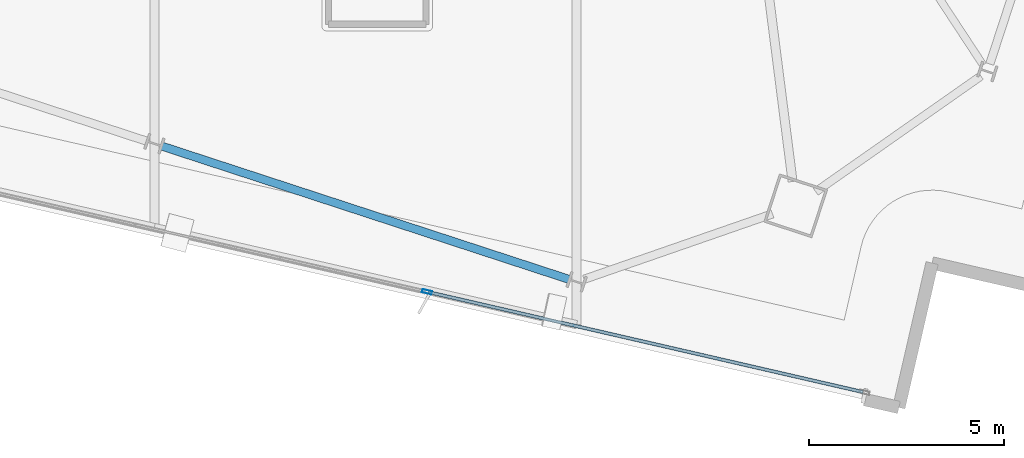
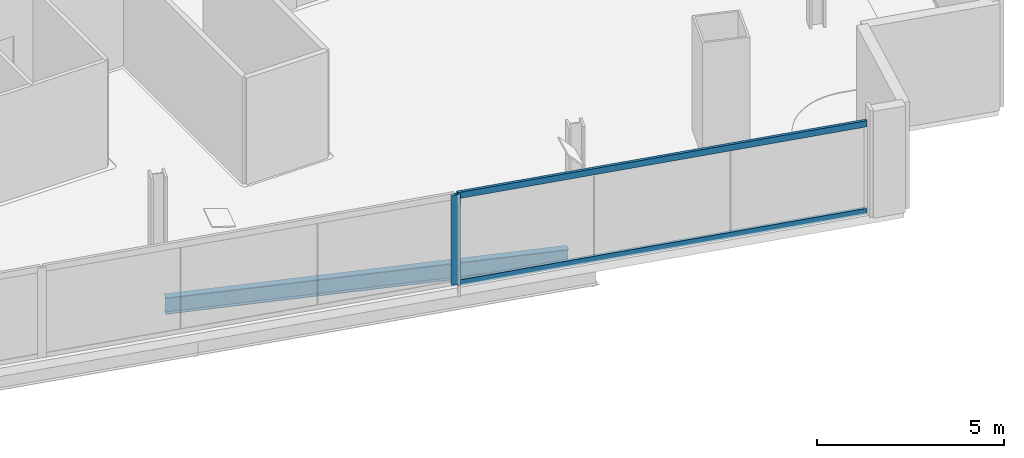
# One storey, part 4 of 28: 3 members, 1 beam, 1 element without a shape of its own.
"""IFC4 building model written with IfcOpenShell, lengths in metres."""

from ifc_helpers import new_model, si_unit, direction, frame, origin, origin_2d, place, context, subcontext, project, spatial, hollow_rectangle, i_section, extrude, material, material_profile, profile_set, type_object, element, aggregate, save


model = new_model("IFC4")

# Units and contexts
model_context = context("Model", 3, precision=1e-05, world=origin(), true_north=direction((0.0, 1.0)))
body_context = subcontext(model_context, "Body", "Model", "MODEL_VIEW")
ifc_project = project(units=[si_unit("LENGTHUNIT", "METRE"), si_unit("AREAUNIT", "SQUARE_METRE"), si_unit("VOLUMEUNIT", "CUBIC_METRE"), si_unit("PLANEANGLEUNIT", "RADIAN"), si_unit("MASSUNIT", "GRAM", prefix="KILO")], contexts=[model_context])

# Site, building, storey
site_placement = place(None, origin())
site = spatial("IfcSite", under=ifc_project, at=site_placement, CompositionType="ELEMENT")
building_placement = place(site_placement, origin())
building = spatial("IfcBuilding", under=site, at=building_placement, Name="Haldenkirk Collegiate Tower", CompositionType="ELEMENT")
storey_placement = place(building_placement, frame((0.0, 0.0, 286.199951171875)))
storey = spatial("IfcBuildingStorey", under=building, at=storey_placement, Name="L72", CompositionType="ELEMENT", Elevation=286.199951171875)

# Beam
ifc_material_1 = material(Name="Steel ASTM A992 Grade 50", Category="steel")
ifc_material_profile_1 = material_profile(ifc_material_1, i_section(OverallWidth=0.2099609375, OverallDepth=0.537109375, WebThickness=0.010986328125, FlangeThickness=0.017333984375, at=origin_2d()), Name="W21X68")
ifc_profile_set_1 = profile_set([ifc_material_profile_1], Name="Steel ASTM A992 Grade 50")
beam_type = type_object("IfcBeamType", Name="BM-SPANDREL-W21X68", PredefinedType="SPANDREL", material=ifc_profile_set_1)
beam_placement = place(storey_placement, frame((30.4755859375, 5.97509765625, -0.538330078125), z_axis=(0.95040429397, -0.311017166733, 0.0), x_axis=(0.311017166733, 0.95040429397, 0.0)))
element("IfcBeam", 1, at=beam_placement, inside=storey, type_object=beam_type, Name="L72 perimeter spandrel beam 15", PredefinedType="SPANDREL", context=body_context, shape_type="SweptSolid", body=[
    extrude(i_section(OverallWidth=0.2099609375, OverallDepth=0.537109375, WebThickness=0.010986328125, FlangeThickness=0.017333984375, at=origin_2d()), origin(), (0.0, 0.0, 1.0), 10.988037109375),
])

# Curtain wall, members
ifc_material_2 = material(Name="Anodised architectural bronze aluminium", Category="aluminium")
curtain_wall_type = type_object("IfcCurtainWallType", Name="CW-SYS1B-CONVEX-HI", PredefinedType="USERDEFINED", material=ifc_material_2)
curtain_wall_placement = place(storey_placement, origin())
curtain_wall = element("IfcCurtainWall", 2, at=curtain_wall_placement, inside=storey, type_object=curtain_wall_type, Name="L72 Upper tower high-wind convex bronze unitised curtain wall", ObjectType="UNITISED CURTAIN WALL", PredefinedType="USERDEFINED")
ifc_material_profile_2 = material_profile(ifc_material_2, hollow_rectangle(XDim=0.0849609375, YDim=0.25, WallThickness=0.0048828125, at=origin_2d()), Name="CW-MUL-1B")
ifc_profile_set_2 = profile_set([ifc_material_profile_2], Name="Anodised architectural bronze aluminium")
member_type_1 = type_object("IfcMemberType", Name="CW-MUL-1B", PredefinedType="MULLION", material=ifc_profile_set_2)
member_1_placement = place(storey_placement, frame((37.2744140625, 2.239990234375, 0.0), z_axis=(0.0, 0.0, 1.0), x_axis=(-0.22410077316, -0.974565976971, 0.0)))
member_1 = element("IfcMember", 3, at=member_1_placement, type_object=member_type_1, Name="CW-1B mullion 2", PredefinedType="MULLION", context=body_context, shape_type="SweptSolid", body=[
    extrude(hollow_rectangle(XDim=0.0849609375, YDim=0.25, WallThickness=0.0048828125, at=origin_2d()), origin(), (0.0, 0.0, 1.0), 2.93798828125),
])
ifc_material_profile_3 = material_profile(ifc_material_2, hollow_rectangle(XDim=0.0849609375, YDim=0.199951171875, WallThickness=0.0048828125, at=origin_2d()), Name="CW-TRN-1B")
ifc_profile_set_3 = profile_set([ifc_material_profile_3], Name="Anodised architectural bronze aluminium")
member_type_2 = type_object("IfcMemberType", Name="CW-TRN-1B", PredefinedType="USERDEFINED", material=ifc_profile_set_3)
member_2_placement = place(storey_placement, frame((48.4560546875, -0.3310546875, 0.04248046875), z_axis=(-0.97456871493, 0.224088866032, 0.0), x_axis=(-0.224088866032, -0.97456871493, 0.0)))
member_2 = element("IfcMember", 4, at=member_2_placement, type_object=member_type_2, Name="CW-1B transom 1.1", ObjectType="TRANSOM", PredefinedType="USERDEFINED", context=body_context, shape_type="SweptSolid", body=[
    extrude(hollow_rectangle(XDim=0.0849609375, YDim=0.199951171875, WallThickness=0.0048828125, at=origin_2d()), origin(), (0.0, 0.0, 1.0), 11.430908203125),
])
member_3_placement = place(storey_placement, frame((48.4560546875, -0.3310546875, 2.8955078125), z_axis=(-0.97456871493, 0.224088866032, 0.0), x_axis=(-0.224088866032, -0.97456871493, 0.0)))
member_3 = element("IfcMember", 5, at=member_3_placement, type_object=member_type_2, Name="CW-1B transom 1.2", ObjectType="TRANSOM", PredefinedType="USERDEFINED", context=body_context, shape_type="SweptSolid", body=[
    extrude(hollow_rectangle(XDim=0.0849609375, YDim=0.199951171875, WallThickness=0.0048828125, at=origin_2d()), origin(), (0.0, 0.0, 1.0), 11.430908203125),
])
aggregate(curtain_wall, [member_1, member_2, member_3])

save(model, "model.ifc")
